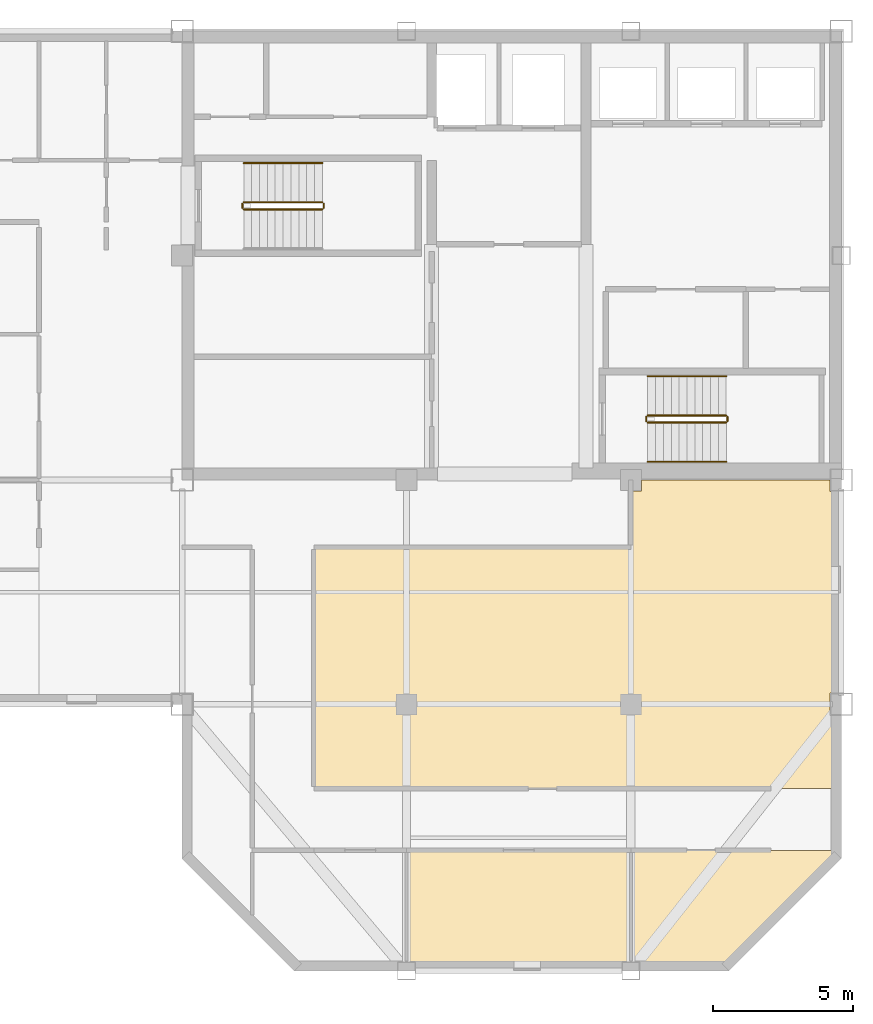
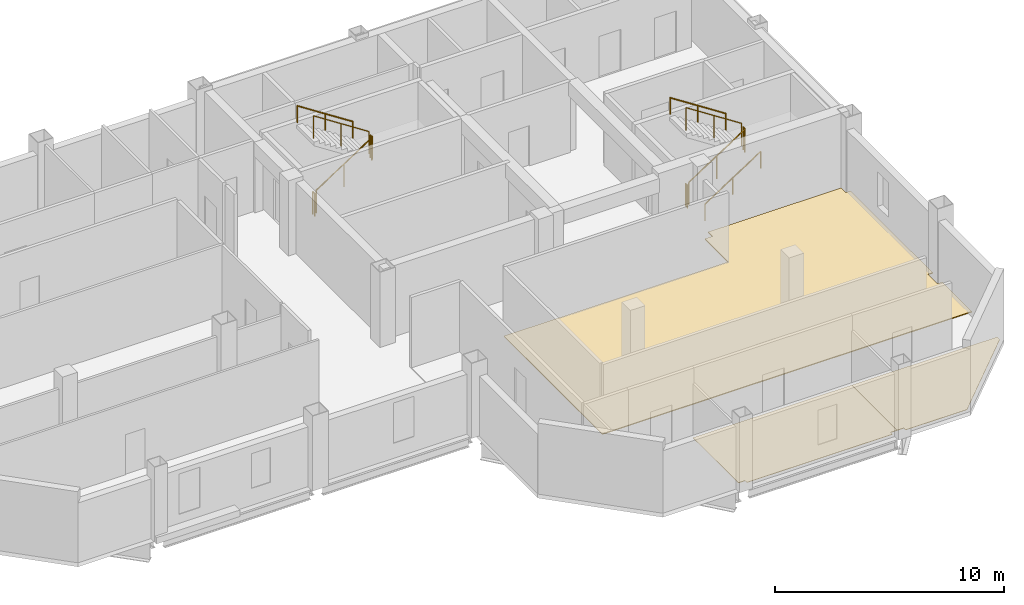
# One storey, part 6 of 7: 11 railings, 3 coverings.
"""IFC4 building model written with IfcOpenShell, lengths in metres."""

from ifc_helpers import new_model, si_unit, direction, frame, origin, origin_2d, place, context, subcontext, project, spatial, polyline, circle, outline, extrude, material, layer, layer_set, type_object, element, save


model = new_model("IFC4")

# Units and contexts
model_context = context("Model", 3, precision=1e-05, world=origin(), true_north=direction((0.0, 1.0)))
body_context = subcontext(model_context, "Body", "Model", "MODEL_VIEW")
ifc_project = project(units=[si_unit("LENGTHUNIT", "METRE"), si_unit("AREAUNIT", "SQUARE_METRE"), si_unit("VOLUMEUNIT", "CUBIC_METRE"), si_unit("PLANEANGLEUNIT", "RADIAN"), si_unit("MASSUNIT", "GRAM", prefix="KILO")], contexts=[model_context])

# Site, building, storey
site_placement = place(None, origin())
site = spatial("IfcSite", under=ifc_project, at=site_placement, CompositionType="ELEMENT")
building_placement = place(site_placement, origin())
building = spatial("IfcBuilding", under=site, at=building_placement, Name="Qianrong Seaharbour Tower", CompositionType="ELEMENT")
storey_placement = place(building_placement, frame((0.0, 0.0, 311.199951171875)))
storey = spatial("IfcBuildingStorey", under=building, at=storey_placement, Name="L75", CompositionType="ELEMENT", Elevation=311.199951171875)

# Coverings
ifc_material_1 = material(Name="Acoustic modular carpet tile flooring")
ifc_layer_1 = layer(ifc_material_1, 0.02001953125)
ifc_layer_set_1 = layer_set([ifc_layer_1], Name="Acoustic modular carpet tile flooring")
covering_type_1 = type_object("IfcCoveringType", Name="COV-FLOOR-CARPET-20", PredefinedType="FLOORING", material=ifc_layer_set_1)
covering_1_placement = place(storey_placement, origin())
element("IfcCovering", 1, at=covering_1_placement, inside=storey, type_object=covering_type_1, Name="L75 Meeting Room 2 Finish Flooring", PredefinedType="FLOORING", context=body_context, shape_type="SweptSolid", body=[
    extrude(outline(polyline([(56.5, 18.8349609375), (56.1650390625, 18.8349609375), (56.1650390625, 18.675048828125), (48.8349609375, 18.675048828125), (48.8349609375, 18.8349609375), (48.5, 18.8349609375), (48.5, 22.800048828125), (56.5, 22.800048828125), (56.5, 18.8349609375)])), origin(), (0.0, 0.0, 1.0), 0.02001953125),
])
covering_2_placement = place(storey_placement, origin())
element("IfcCovering", 2, at=covering_2_placement, inside=storey, type_object=covering_type_1, Name="L75 Standards Library 3 Finish Flooring", PredefinedType="FLOORING", context=body_context, shape_type="SweptSolid", body=[
    extrude(outline(polyline([(63.824951171875, 22.572509765625), (59.927490234375, 18.675048828125), (56.8349609375, 18.675048828125), (56.8349609375, 18.8349609375), (56.5, 18.8349609375), (56.5, 22.800048828125), (63.824951171875, 22.800048828125), (63.824951171875, 22.572509765625)])), origin(), (0.0, 0.0, 1.0), 0.02001953125),
])
ifc_material_2 = material(Name="Calcium-sulphate raised access floor tile")
ifc_layer_2 = layer(ifc_material_2, 0.044921875)
ifc_layer_set_2 = layer_set([ifc_layer_2], Name="Calcium-sulphate raised access floor tile")
covering_type_2 = type_object("IfcCoveringType", Name="COV-FLOOR-RAISED-45", PredefinedType="FLOORING", material=ifc_layer_set_2)
covering_3_placement = place(storey_placement, origin())
element("IfcCovering", 3, at=covering_3_placement, inside=storey, type_object=covering_type_2, Name="L75 South Wing Open-Plan Office Finish Flooring", PredefinedType="FLOORING", context=body_context, shape_type="SweptSolid", body=[
    extrude(outline(polyline([(56.5, 33.60009765625), (56.5, 35.614990234375), (56.885009765625, 35.614990234375), (56.885009765625, 36.0), (63.590087890625, 36.0), (63.590087890625, 35.590087890625), (63.824951171875, 35.590087890625), (63.824951171875, 28.409912109375), (63.590087890625, 28.409912109375), (63.590087890625, 27.590087890625), (63.824951171875, 27.590087890625), (63.824951171875, 25.0), (45.199951171875, 25.0), (45.199951171875, 33.60009765625), (56.5, 33.60009765625)])), origin(), (0.0, 0.0, 1.0), 0.045166015625),
])

# Railings
ifc_material_3 = material(Name="Galvanized painted steel SN400B stair guard", Category="steel")
railing_type_1 = type_object("IfcRailingType", Name="RAIL-STAIR-GUARD-1220", PredefinedType="GUARDRAIL", material=ifc_material_3)
railing_1_placement = place(storey_placement, frame((42.699951171875, 45.64990234375, 0.181884765625)))
element("IfcRailing", 4, at=railing_1_placement, inside=storey, type_object=railing_type_1, Name="L75 ST-1 stair guard 1", PredefinedType="GUARDRAIL", context=body_context, shape_type="SweptSolid", body=[
    extrude(circle(Radius=0.02392578125, at=origin_2d()), frame((0.0, 0.0, 1.19580078125), z_axis=(0.838705829183, 0.0, 0.544584733623), x_axis=(0.0, 1.0, 0.0)), (0.0, 0.0, 1.0), 3.338623046875),
    extrude(circle(Radius=0.02099609375, at=origin_2d()), origin(), (0.0, 0.0, 1.0), 1.171875),
    extrude(circle(Radius=0.02099609375, at=origin_2d()), frame((1.39990234375, 0.0, 0.9091796875)), (0.0, 0.0, 1.0), 1.171875),
    extrude(circle(Radius=0.02099609375, at=origin_2d()), frame((2.800048828125, 0.0, 1.818115234375)), (0.0, 0.0, 1.0), 1.171875),
])
railing_2_placement = place(storey_placement, frame((45.550048828125, 45.699951171875, 2.0)))
element("IfcRailing", 5, at=railing_2_placement, inside=storey, type_object=railing_type_1, Name="L75 ST-1 stair guard 2", PredefinedType="GUARDRAIL", context=body_context, shape_type="SweptSolid", body=[
    extrude(circle(Radius=0.02392578125, at=origin_2d()), frame((0.0, 0.0, 1.19580078125), z_axis=(0.0, 1.0, 0.0), x_axis=(-1.0, 0.0, 0.0)), (0.0, 0.0, 1.0), 0.150146484375),
    extrude(circle(Radius=0.02099609375, at=origin_2d()), origin(), (0.0, 0.0, 1.0), 1.171875),
    extrude(circle(Radius=0.02099609375, at=origin_2d()), frame((0.0, 0.150146484375, 0.0)), (0.0, 0.0, 1.0), 1.171875),
])
railing_3_placement = place(storey_placement, frame((45.5, 45.89990234375, 2.181884765625)))
element("IfcRailing", 6, at=railing_3_placement, inside=storey, type_object=railing_type_1, Name="L75 ST-1 stair guard 3", PredefinedType="GUARDRAIL", context=body_context, shape_type="SweptSolid", body=[
    extrude(circle(Radius=0.02392578125, at=origin_2d()), frame((0.0, 0.0, 1.19580078125), z_axis=(-0.838705829183, 0.0, 0.544584733623), x_axis=(0.0, -1.0, 0.0)), (0.0, 0.0, 1.0), 3.338623046875),
    extrude(circle(Radius=0.02099609375, at=origin_2d()), origin(), (0.0, 0.0, 1.0), 1.171875),
    extrude(circle(Radius=0.02099609375, at=origin_2d()), frame((-1.39990234375, 0.0, 0.9091796875)), (0.0, 0.0, 1.0), 1.171875),
    extrude(circle(Radius=0.02099609375, at=origin_2d()), frame((-2.800048828125, 0.0, 1.818115234375)), (0.0, 0.0, 1.0), 1.171875),
])
railing_4_placement = place(storey_placement, frame((42.64990234375, 45.699951171875, 0.0)))
element("IfcRailing", 7, at=railing_4_placement, inside=storey, type_object=railing_type_1, Name="L75 ST-1 stair guard 4", PredefinedType="GUARDRAIL", context=body_context, shape_type="SweptSolid", body=[
    extrude(circle(Radius=0.02392578125, at=origin_2d()), frame((0.0, 0.0, 1.19580078125), z_axis=(0.0, 1.0, 0.0), x_axis=(-1.0, 0.0, 0.0)), (0.0, 0.0, 1.0), 0.150146484375),
    extrude(circle(Radius=0.02099609375, at=origin_2d()), origin(), (0.0, 0.0, 1.0), 1.171875),
    extrude(circle(Radius=0.02099609375, at=origin_2d()), frame((0.0, 0.150146484375, 0.0)), (0.0, 0.0, 1.0), 1.171875),
])
railing_5_placement = place(storey_placement, frame((57.10009765625, 38.050048828125, 0.181884765625)))
element("IfcRailing", 8, at=railing_5_placement, inside=storey, type_object=railing_type_1, Name="L75 ST-2 stair guard 1", PredefinedType="GUARDRAIL", context=body_context, shape_type="SweptSolid", body=[
    extrude(circle(Radius=0.02392578125, at=origin_2d()), frame((0.0, 0.0, 1.19580078125), z_axis=(0.83868413941, 0.0, 0.544618136222), x_axis=(0.0, 1.0, 0.0)), (0.0, 0.0, 1.0), 3.33837890625),
    extrude(circle(Radius=0.02099609375, at=origin_2d()), origin(), (0.0, 0.0, 1.0), 1.171875),
    extrude(circle(Radius=0.02099609375, at=origin_2d()), frame((1.39990234375, 0.0, 0.9091796875)), (0.0, 0.0, 1.0), 1.171875),
    extrude(circle(Radius=0.02099609375, at=origin_2d()), frame((2.7998046875, 0.0, 1.818115234375)), (0.0, 0.0, 1.0), 1.171875),
])
railing_6_placement = place(storey_placement, frame((59.949951171875, 38.10009765625, 2.0)))
element("IfcRailing", 9, at=railing_6_placement, inside=storey, type_object=railing_type_1, Name="L75 ST-2 stair guard 2", PredefinedType="GUARDRAIL", context=body_context, shape_type="SweptSolid", body=[
    extrude(circle(Radius=0.02392578125, at=origin_2d()), frame((0.0, 0.0, 1.19580078125), z_axis=(0.0, 1.0, 0.0), x_axis=(-1.0, 0.0, 0.0)), (0.0, 0.0, 1.0), 0.14990234375),
    extrude(circle(Radius=0.02099609375, at=origin_2d()), origin(), (0.0, 0.0, 1.0), 1.171875),
    extrude(circle(Radius=0.02099609375, at=origin_2d()), frame((0.0, 0.14990234375, 0.0)), (0.0, 0.0, 1.0), 1.171875),
])
railing_7_placement = place(storey_placement, frame((59.89990234375, 38.300048828125, 2.181884765625)))
element("IfcRailing", 10, at=railing_7_placement, inside=storey, type_object=railing_type_1, Name="L75 ST-2 stair guard 3", PredefinedType="GUARDRAIL", context=body_context, shape_type="SweptSolid", body=[
    extrude(circle(Radius=0.02392578125, at=origin_2d()), frame((0.0, 0.0, 1.19580078125), z_axis=(-0.83868413941, 0.0, 0.544618136222), x_axis=(0.0, -1.0, 0.0)), (0.0, 0.0, 1.0), 3.33837890625),
    extrude(circle(Radius=0.02099609375, at=origin_2d()), origin(), (0.0, 0.0, 1.0), 1.171875),
    extrude(circle(Radius=0.02099609375, at=origin_2d()), frame((-1.39990234375, 0.0, 0.9091796875)), (0.0, 0.0, 1.0), 1.171875),
    extrude(circle(Radius=0.02099609375, at=origin_2d()), frame((-2.7998046875, 0.0, 1.818115234375)), (0.0, 0.0, 1.0), 1.171875),
])
railing_8_placement = place(storey_placement, frame((57.050048828125, 38.10009765625, 0.0)))
element("IfcRailing", 11, at=railing_8_placement, inside=storey, type_object=railing_type_1, Name="L75 ST-2 stair guard 4", PredefinedType="GUARDRAIL", context=body_context, shape_type="SweptSolid", body=[
    extrude(circle(Radius=0.02392578125, at=origin_2d()), frame((0.0, 0.0, 1.19580078125), z_axis=(0.0, 1.0, 0.0), x_axis=(-1.0, 0.0, 0.0)), (0.0, 0.0, 1.0), 0.14990234375),
    extrude(circle(Radius=0.02099609375, at=origin_2d()), origin(), (0.0, 0.0, 1.0), 1.171875),
    extrude(circle(Radius=0.02099609375, at=origin_2d()), frame((0.0, 0.14990234375, 0.0)), (0.0, 0.0, 1.0), 1.171875),
])
ifc_material_4 = material(Name="Stainless steel SUS316L continuous handrail", Category="steel")
railing_type_2 = type_object("IfcRailingType", Name="RAIL-STAIR-HANDRAIL-900", PredefinedType="HANDRAIL", material=ifc_material_4)
railing_9_placement = place(storey_placement, frame((45.5, 47.300048828125, 2.181884765625)))
element("IfcRailing", 12, at=railing_9_placement, inside=storey, type_object=railing_type_2, Name="L75 ST-1 stair handrail 2", PredefinedType="HANDRAIL", context=body_context, shape_type="SweptSolid", body=[
    extrude(circle(Radius=0.02392578125, at=origin_2d()), frame((0.0, 0.0, 0.8759765625), z_axis=(-0.838705829183, 0.0, 0.544584733623), x_axis=(0.0, -1.0, 0.0)), (0.0, 0.0, 1.0), 3.338623046875),
    extrude(circle(Radius=0.02099609375, at=origin_2d()), origin(), (0.0, 0.0, 1.0), 0.851806640625),
    extrude(circle(Radius=0.02099609375, at=origin_2d()), frame((-1.39990234375, 0.0, 0.9091796875)), (0.0, 0.0, 1.0), 0.851806640625),
    extrude(circle(Radius=0.02099609375, at=origin_2d()), frame((-2.800048828125, 0.0, 1.818115234375)), (0.0, 0.0, 1.0), 0.851806640625),
])
railing_10_placement = place(storey_placement, frame((57.10009765625, 36.64990234375, 0.181884765625)))
element("IfcRailing", 13, at=railing_10_placement, inside=storey, type_object=railing_type_2, Name="L75 ST-2 stair handrail 1", PredefinedType="HANDRAIL", context=body_context, shape_type="SweptSolid", body=[
    extrude(circle(Radius=0.02392578125, at=origin_2d()), frame((0.0, 0.0, 0.8759765625), z_axis=(0.83868413941, 0.0, 0.544618136222), x_axis=(0.0, 1.0, 0.0)), (0.0, 0.0, 1.0), 3.33837890625),
    extrude(circle(Radius=0.02099609375, at=origin_2d()), origin(), (0.0, 0.0, 1.0), 0.851806640625),
    extrude(circle(Radius=0.02099609375, at=origin_2d()), frame((1.39990234375, 0.0, 0.9091796875)), (0.0, 0.0, 1.0), 0.851806640625),
    extrude(circle(Radius=0.02099609375, at=origin_2d()), frame((2.7998046875, 0.0, 1.818115234375)), (0.0, 0.0, 1.0), 0.851806640625),
])
railing_11_placement = place(storey_placement, frame((59.89990234375, 39.699951171875, 2.181884765625)))
element("IfcRailing", 14, at=railing_11_placement, inside=storey, type_object=railing_type_2, Name="L75 ST-2 stair handrail 2", PredefinedType="HANDRAIL", context=body_context, shape_type="SweptSolid", body=[
    extrude(circle(Radius=0.02392578125, at=origin_2d()), frame((0.0, 0.0, 0.8759765625), z_axis=(-0.83868413941, 0.0, 0.544618136222), x_axis=(0.0, -1.0, 0.0)), (0.0, 0.0, 1.0), 3.33837890625),
    extrude(circle(Radius=0.02099609375, at=origin_2d()), origin(), (0.0, 0.0, 1.0), 0.851806640625),
    extrude(circle(Radius=0.02099609375, at=origin_2d()), frame((-1.39990234375, 0.0, 0.9091796875)), (0.0, 0.0, 1.0), 0.851806640625),
    extrude(circle(Radius=0.02099609375, at=origin_2d()), frame((-2.7998046875, 0.0, 1.818115234375)), (0.0, 0.0, 1.0), 0.851806640625),
])

save(model, "model.ifc")
